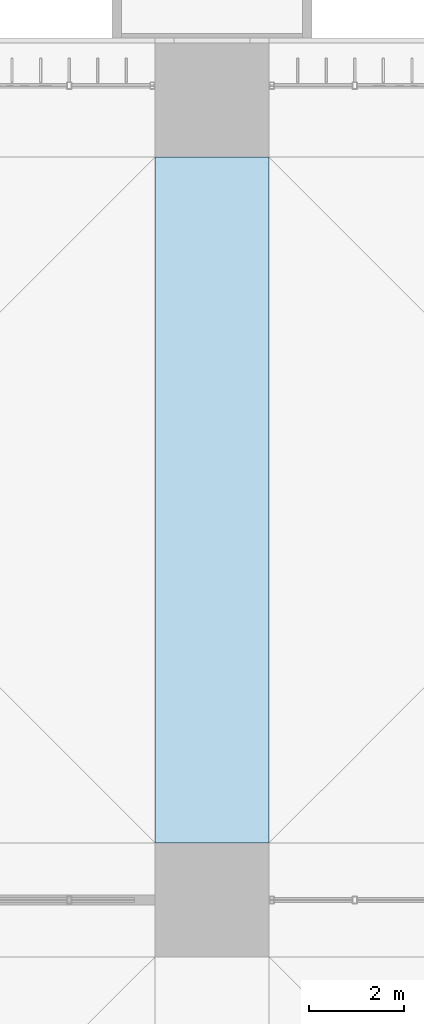
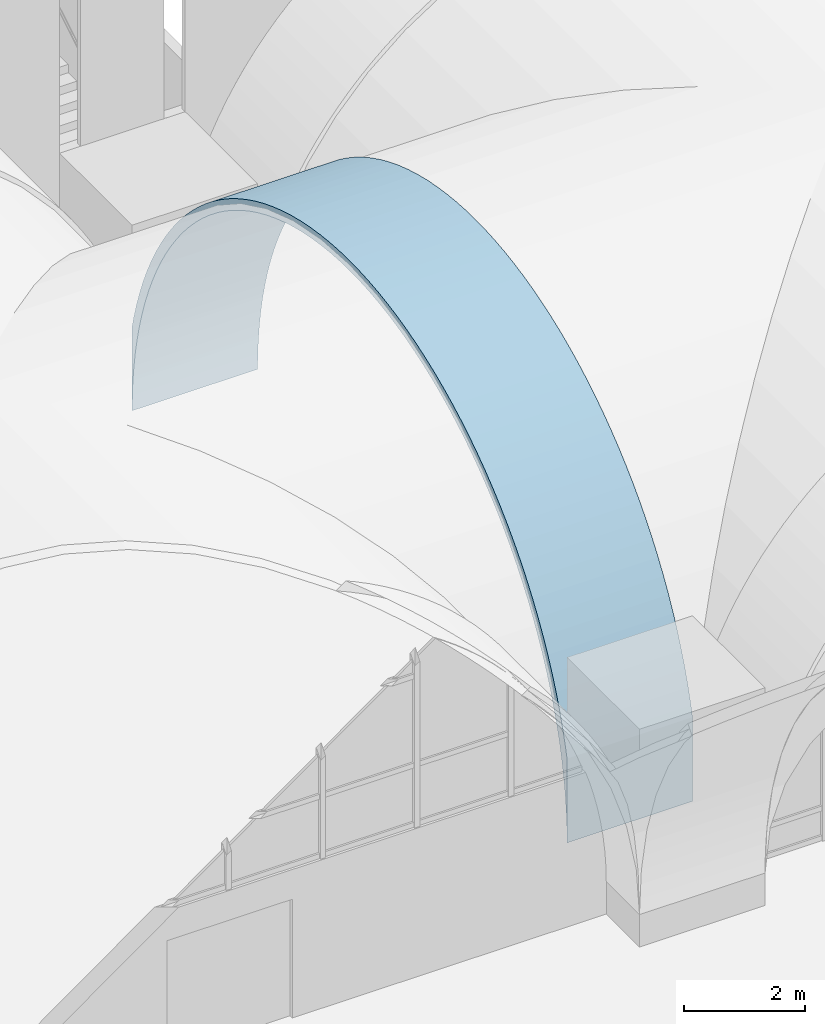
# One storey, part 136 of 169: 1 roof.
"""IFC4 building model written with IfcOpenShell, lengths in metres."""

from ifc_helpers import new_model, si_unit, direction, frame, origin, place, context, subcontext, project, spatial, polygons, material, layer, layer_set, type_object, element, save


model = new_model("IFC4")

# Units and contexts
model_context = context("Model", 3, precision=1e-05, world=origin(), true_north=direction((0.0, 1.0)))
body_context = subcontext(model_context, "Body", "Model", "MODEL_VIEW")
ifc_project = project(units=[si_unit("LENGTHUNIT", "METRE"), si_unit("AREAUNIT", "SQUARE_METRE"), si_unit("VOLUMEUNIT", "CUBIC_METRE"), si_unit("PLANEANGLEUNIT", "RADIAN"), si_unit("MASSUNIT", "GRAM", prefix="KILO")], contexts=[model_context])

# Site, building, storey
site_placement = place(None, origin())
site = spatial("IfcSite", under=ifc_project, at=site_placement, CompositionType="ELEMENT")
building_placement = place(site_placement, origin())
building = spatial("IfcBuilding", under=site, at=building_placement, Name="Verrick Yard Athletic Hall", CompositionType="ELEMENT")
storey_placement = place(building_placement, frame((0.0, 0.0, 4.39990234375)))
storey = spatial("IfcBuildingStorey", under=building, at=storey_placement, Name="L01", CompositionType="ELEMENT", Elevation=4.39990234375)

# Roof
ifc_material = material(Name="Concrete 35 MPa", Category="concrete")
ifc_layer = layer(ifc_material, 0.199951171875)
ifc_layer_set = layer_set([ifc_layer], Name="Arch rib 200")
roof_type = type_object("IfcRoofType", Name="Arch rib 200", PredefinedType="BARREL_ROOF", material=ifc_layer_set)
roof_placement = place(storey_placement, origin())
element("IfcRoof", 1, at=roof_placement, inside=storey, type_object=roof_type, Name="Vault rib X5-2", PredefinedType="BARREL_ROOF", context=body_context, shape_type="Tessellation", body=[
    polygons([(108.39990234375, 37.199951171875, 2.352294921875), (108.39990234375, 37.199951171875, 0.650146484375), (108.39990234375, 37.206787109375, 0.964111328125), (108.39990234375, 37.227294921875, 1.277587890625), (108.39990234375, 37.26171875, 1.58984375), (108.39990234375, 37.309326171875, 1.900390625), (108.39990234375, 37.37060546875, 2.20849609375), (108.39990234375, 37.4453125, 2.513671875), (108.39990234375, 37.533203125, 2.815185546875), (108.39990234375, 37.63427734375, 3.112548828125), (108.39990234375, 37.748046875, 3.405517578125), (108.39990234375, 37.87451171875, 3.693115234375), (108.39990234375, 38.013427734375, 3.974609375), (108.39990234375, 38.16455078125, 4.25), (108.39990234375, 38.32763671875, 4.518798828125), (108.39990234375, 38.502197265625, 4.77978515625), (108.39990234375, 38.68798828125, 5.033203125), (108.39990234375, 38.884521484375, 5.278076171875), (108.39990234375, 39.091552734375, 5.514404296875), (108.39990234375, 39.308837890625, 5.7412109375), (108.39990234375, 39.535888671875, 5.95849609375), (108.39990234375, 39.77197265625, 6.16552734375), (108.39990234375, 40.016845703125, 6.3623046875), (108.39990234375, 40.270263671875, 6.548095703125), (108.39990234375, 40.531494140625, 6.722412109375), (108.39990234375, 40.800048828125, 6.885498046875), (108.39990234375, 41.075439453125, 7.03662109375), (108.39990234375, 41.357177734375, 7.175537109375), (108.39990234375, 41.644775390625, 7.302001953125), (108.39990234375, 41.9375, 7.416015625), (108.39990234375, 42.23486328125, 7.516845703125), (108.39990234375, 42.53662109375, 7.604736328125), (108.39990234375, 42.841552734375, 7.679443359375), (108.39990234375, 43.149658203125, 7.74072265625), (108.39990234375, 43.460205078125, 7.78857421875), (108.39990234375, 43.7724609375, 7.82275390625), (108.39990234375, 44.0859375, 7.84326171875), (108.39990234375, 44.39990234375, 7.85009765625), (108.39990234375, 44.714111328125, 7.84326171875), (108.39990234375, 45.027587890625, 7.82275390625), (108.39990234375, 45.33984375, 7.78857421875), (108.39990234375, 45.650390625, 7.74072265625), (108.39990234375, 45.95849609375, 7.679443359375), (108.39990234375, 46.263427734375, 7.604736328125), (108.39990234375, 46.565185546875, 7.516845703125), (108.39990234375, 46.862548828125, 7.416015625), (108.39990234375, 47.1552734375, 7.302001953125), (108.39990234375, 47.44287109375, 7.175537109375), (108.39990234375, 47.724609375, 7.03662109375), (108.39990234375, 48.0, 6.885498046875), (108.39990234375, 48.2685546875, 6.722412109375), (108.39990234375, 48.52978515625, 6.548095703125), (108.39990234375, 48.783203125, 6.3623046875), (108.39990234375, 49.028076171875, 6.16552734375), (108.39990234375, 49.26416015625, 5.95849609375), (108.39990234375, 49.4912109375, 5.7412109375), (108.39990234375, 49.70849609375, 5.514404296875), (108.39990234375, 49.91552734375, 5.278076171875), (108.39990234375, 50.112060546875, 5.033203125), (108.39990234375, 50.2978515625, 4.77978515625), (108.39990234375, 50.472412109375, 4.518798828125), (108.39990234375, 50.635498046875, 4.25), (108.39990234375, 50.78662109375, 3.974609375), (108.39990234375, 50.92529296875, 3.693115234375), (108.39990234375, 51.052001953125, 3.405517578125), (108.39990234375, 51.165771484375, 3.112548828125), (108.39990234375, 51.266845703125, 2.815185546875), (108.39990234375, 51.354736328125, 2.513671875), (108.39990234375, 51.42919921875, 2.20849609375), (108.39990234375, 51.490478515625, 1.900390625), (108.39990234375, 51.538330078125, 1.58984375), (108.39990234375, 51.572509765625, 1.277587890625), (108.39990234375, 51.593017578125, 0.964111328125), (108.39990234375, 51.60009765625, 0.650146484375), (108.39990234375, 51.60009765625, 2.352294921875), (108.39990234375, 51.5478515625, 2.5654296875), (108.39990234375, 51.45751953125, 2.875244140625), (108.39990234375, 51.353759765625, 3.180908203125), (108.39990234375, 51.23681640625, 3.48193359375), (108.39990234375, 51.106689453125, 3.777587890625), (108.39990234375, 50.9638671875, 4.06689453125), (108.39990234375, 50.80859375, 4.35009765625), (108.39990234375, 50.64111328125, 4.6259765625), (108.39990234375, 50.461669921875, 4.89453125), (108.39990234375, 50.270751953125, 5.15478515625), (108.39990234375, 50.068603515625, 5.40673828125), (108.39990234375, 49.85595703125, 5.6494140625), (108.39990234375, 49.632568359375, 5.8828125), (108.39990234375, 49.3994140625, 6.10595703125), (108.39990234375, 49.156494140625, 6.31884765625), (108.39990234375, 48.90478515625, 6.52099609375), (108.39990234375, 48.64453125, 6.7119140625), (108.39990234375, 48.3759765625, 6.89111328125), (108.39990234375, 48.10009765625, 7.05859375), (108.39990234375, 47.81689453125, 7.214111328125), (108.39990234375, 47.52734375, 7.356689453125), (108.39990234375, 47.23193359375, 7.48681640625), (108.39990234375, 46.930908203125, 7.603759765625), (108.39990234375, 46.625244140625, 7.70751953125), (108.39990234375, 46.315185546875, 7.798095703125), (108.39990234375, 46.001708984375, 7.874755859375), (108.39990234375, 45.68505859375, 7.937744140625), (108.39990234375, 45.365966796875, 7.98681640625), (108.39990234375, 45.044921875, 8.02197265625), (108.39990234375, 44.722900390625, 8.043212890625), (108.39990234375, 44.39990234375, 8.050048828125), (108.39990234375, 44.0771484375, 8.043212890625), (108.39990234375, 43.7548828125, 8.02197265625), (108.39990234375, 43.43408203125, 7.98681640625), (108.39990234375, 43.114990234375, 7.937744140625), (108.39990234375, 42.79833984375, 7.874755859375), (108.39990234375, 42.484619140625, 7.798095703125), (108.39990234375, 42.1748046875, 7.70751953125), (108.39990234375, 41.869140625, 7.603759765625), (108.39990234375, 41.568115234375, 7.48681640625), (108.39990234375, 41.272705078125, 7.356689453125), (108.39990234375, 40.983154296875, 7.214111328125), (108.39990234375, 40.699951171875, 7.05859375), (108.39990234375, 40.424072265625, 6.89111328125), (108.39990234375, 40.155517578125, 6.7119140625), (108.39990234375, 39.895263671875, 6.52099609375), (108.39990234375, 39.643310546875, 6.31884765625), (108.39990234375, 39.400634765625, 6.10595703125), (108.39990234375, 39.16748046875, 5.8828125), (108.39990234375, 38.944091796875, 5.6494140625), (108.39990234375, 38.731201171875, 5.40673828125), (108.39990234375, 38.529296875, 5.15478515625), (108.39990234375, 38.33837890625, 4.89453125), (108.39990234375, 38.158935546875, 4.6259765625), (108.39990234375, 37.991455078125, 4.35009765625), (108.39990234375, 37.836181640625, 4.06689453125), (108.39990234375, 37.693359375, 3.777587890625), (108.39990234375, 37.563232421875, 3.48193359375), (108.39990234375, 37.4462890625, 3.180908203125), (108.39990234375, 37.342529296875, 2.875244140625), (108.39990234375, 37.252197265625, 2.5654296875), (106.0, 37.199951171875, 2.352294921875), (106.0, 37.199951171875, 0.650146484375), (106.0, 37.206787109375, 0.964111328125), (106.0, 37.227294921875, 1.277587890625), (106.0, 37.26171875, 1.58984375), (106.0, 37.309326171875, 1.900390625), (106.0, 37.37060546875, 2.20849609375), (106.0, 37.4453125, 2.513671875), (106.0, 37.533203125, 2.815185546875), (106.0, 37.63427734375, 3.112548828125), (106.0, 37.748046875, 3.405517578125), (106.0, 37.87451171875, 3.693115234375), (106.0, 38.013427734375, 3.974609375), (106.0, 38.16455078125, 4.25), (106.0, 38.32763671875, 4.518798828125), (106.0, 38.502197265625, 4.77978515625), (106.0, 38.68798828125, 5.033203125), (106.0, 38.884521484375, 5.278076171875), (106.0, 39.091552734375, 5.514404296875), (106.0, 39.308837890625, 5.7412109375), (106.0, 39.535888671875, 5.95849609375), (106.0, 39.77197265625, 6.16552734375), (106.0, 40.016845703125, 6.3623046875), (106.0, 40.270263671875, 6.548095703125), (106.0, 40.531494140625, 6.722412109375), (106.0, 40.800048828125, 6.885498046875), (106.0, 41.075439453125, 7.03662109375), (106.0, 41.357177734375, 7.175537109375), (106.0, 41.644775390625, 7.302001953125), (106.0, 41.9375, 7.416015625), (106.0, 42.23486328125, 7.516845703125), (106.0, 42.53662109375, 7.604736328125), (106.0, 42.841552734375, 7.679443359375), (106.0, 43.149658203125, 7.74072265625), (106.0, 43.460205078125, 7.78857421875), (106.0, 43.7724609375, 7.82275390625), (106.0, 44.0859375, 7.84326171875), (106.0, 44.39990234375, 7.85009765625), (106.0, 44.714111328125, 7.84326171875), (106.0, 45.027587890625, 7.82275390625), (106.0, 45.33984375, 7.78857421875), (106.0, 45.650390625, 7.74072265625), (106.0, 45.95849609375, 7.679443359375), (106.0, 46.263427734375, 7.604736328125), (106.0, 46.565185546875, 7.516845703125), (106.0, 46.862548828125, 7.416015625), (106.0, 47.1552734375, 7.302001953125), (106.0, 47.44287109375, 7.175537109375), (106.0, 47.724609375, 7.03662109375), (106.0, 48.0, 6.885498046875), (106.0, 48.2685546875, 6.722412109375), (106.0, 48.52978515625, 6.548095703125), (106.0, 48.783203125, 6.3623046875), (106.0, 49.028076171875, 6.16552734375), (106.0, 49.26416015625, 5.95849609375), (106.0, 49.4912109375, 5.7412109375), (106.0, 49.70849609375, 5.514404296875), (106.0, 49.91552734375, 5.278076171875), (106.0, 50.112060546875, 5.033203125), (106.0, 50.2978515625, 4.77978515625), (106.0, 50.472412109375, 4.518798828125), (106.0, 50.635498046875, 4.25), (106.0, 50.78662109375, 3.974609375), (106.0, 50.92529296875, 3.693115234375), (106.0, 51.052001953125, 3.405517578125), (106.0, 51.165771484375, 3.112548828125), (106.0, 51.266845703125, 2.815185546875), (106.0, 51.354736328125, 2.513671875), (106.0, 51.42919921875, 2.20849609375), (106.0, 51.490478515625, 1.900390625), (106.0, 51.538330078125, 1.58984375), (106.0, 51.572509765625, 1.277587890625), (106.0, 51.593017578125, 0.964111328125), (106.0, 51.60009765625, 0.650146484375), (106.0, 51.60009765625, 2.352294921875), (106.0, 51.5478515625, 2.5654296875), (106.0, 51.45751953125, 2.875244140625), (106.0, 51.353759765625, 3.180908203125), (106.0, 51.23681640625, 3.48193359375), (106.0, 51.106689453125, 3.777587890625), (106.0, 50.9638671875, 4.06689453125), (106.0, 50.80859375, 4.35009765625), (106.0, 50.64111328125, 4.6259765625), (106.0, 50.461669921875, 4.89453125), (106.0, 50.270751953125, 5.15478515625), (106.0, 50.068603515625, 5.40673828125), (106.0, 49.85595703125, 5.6494140625), (106.0, 49.632568359375, 5.8828125), (106.0, 49.3994140625, 6.10595703125), (106.0, 49.156494140625, 6.31884765625), (106.0, 48.90478515625, 6.52099609375), (106.0, 48.64453125, 6.7119140625), (106.0, 48.3759765625, 6.89111328125), (106.0, 48.10009765625, 7.05859375), (106.0, 47.81689453125, 7.214111328125), (106.0, 47.52734375, 7.356689453125), (106.0, 47.23193359375, 7.48681640625), (106.0, 46.930908203125, 7.603759765625), (106.0, 46.625244140625, 7.70751953125), (106.0, 46.315185546875, 7.798095703125), (106.0, 46.001708984375, 7.874755859375), (106.0, 45.68505859375, 7.937744140625), (106.0, 45.365966796875, 7.98681640625), (106.0, 45.044921875, 8.02197265625), (106.0, 44.722900390625, 8.043212890625), (106.0, 44.39990234375, 8.050048828125), (106.0, 44.0771484375, 8.043212890625), (106.0, 43.7548828125, 8.02197265625), (106.0, 43.43408203125, 7.98681640625), (106.0, 43.114990234375, 7.937744140625), (106.0, 42.79833984375, 7.874755859375), (106.0, 42.484619140625, 7.798095703125), (106.0, 42.1748046875, 7.70751953125), (106.0, 41.869140625, 7.603759765625), (106.0, 41.568115234375, 7.48681640625), (106.0, 41.272705078125, 7.356689453125), (106.0, 40.983154296875, 7.214111328125), (106.0, 40.699951171875, 7.05859375), (106.0, 40.424072265625, 6.89111328125), (106.0, 40.155517578125, 6.7119140625), (106.0, 39.895263671875, 6.52099609375), (106.0, 39.643310546875, 6.31884765625), (106.0, 39.400634765625, 6.10595703125), (106.0, 39.16748046875, 5.8828125), (106.0, 38.944091796875, 5.6494140625), (106.0, 38.731201171875, 5.40673828125), (106.0, 38.529296875, 5.15478515625), (106.0, 38.33837890625, 4.89453125), (106.0, 38.158935546875, 4.6259765625), (106.0, 37.991455078125, 4.35009765625), (106.0, 37.836181640625, 4.06689453125), (106.0, 37.693359375, 3.777587890625), (106.0, 37.563232421875, 3.48193359375), (106.0, 37.4462890625, 3.180908203125), (106.0, 37.342529296875, 2.875244140625), (106.0, 37.252197265625, 2.5654296875)], [[[1, 2, 3]], [[137, 139, 138]], [[136, 1, 3]], [[272, 139, 137]], [[136, 3, 4]], [[272, 140, 139]], [[136, 4, 5]], [[272, 141, 140]], [[136, 5, 6]], [[272, 142, 141]], [[136, 6, 7]], [[272, 143, 142]], [[136, 7, 8]], [[272, 144, 143]], [[136, 8, 9]], [[272, 145, 144]], [[136, 9, 10]], [[272, 146, 145]], [[136, 10, 11]], [[272, 147, 146]], [[136, 11, 12]], [[272, 148, 147]], [[136, 12, 13]], [[272, 149, 148]], [[73, 74, 75]], [[209, 211, 210]], [[72, 73, 75]], [[208, 211, 209]], [[71, 72, 75]], [[207, 211, 208]], [[70, 71, 75]], [[206, 211, 207]], [[69, 70, 75]], [[205, 211, 206]], [[68, 69, 75]], [[204, 211, 205]], [[67, 68, 75]], [[203, 211, 204]], [[66, 67, 75]], [[202, 211, 203]], [[65, 66, 75]], [[201, 211, 202]], [[64, 65, 75]], [[200, 211, 201]], [[63, 64, 75]], [[199, 211, 200]], [[63, 75, 76]], [[199, 212, 211]], [[63, 76, 77]], [[199, 213, 212]], [[62, 63, 77]], [[198, 213, 199]], [[62, 77, 78]], [[198, 214, 213]], [[61, 62, 78]], [[197, 214, 198]], [[61, 78, 79]], [[197, 215, 214]], [[60, 61, 79]], [[196, 215, 197]], [[60, 79, 80]], [[196, 216, 215]], [[59, 60, 80]], [[195, 216, 196]], [[59, 80, 81]], [[195, 217, 216]], [[58, 59, 81]], [[194, 217, 195]], [[58, 81, 82]], [[194, 218, 217]], [[57, 58, 82]], [[193, 218, 194]], [[57, 82, 83]], [[193, 219, 218]], [[56, 57, 83]], [[192, 219, 193]], [[56, 83, 84]], [[192, 220, 219]], [[55, 56, 84]], [[191, 220, 192]], [[55, 84, 85]], [[191, 221, 220]], [[54, 55, 85]], [[190, 221, 191]], [[54, 85, 86]], [[190, 222, 221]], [[53, 54, 86]], [[189, 222, 190]], [[53, 86, 87]], [[189, 223, 222]], [[52, 53, 87]], [[188, 223, 189]], [[52, 87, 88]], [[188, 224, 223]], [[51, 52, 88]], [[187, 224, 188]], [[51, 88, 89]], [[187, 225, 224]], [[50, 51, 89]], [[186, 225, 187]], [[50, 89, 90]], [[186, 226, 225]], [[49, 50, 90]], [[185, 226, 186]], [[49, 90, 91]], [[185, 227, 226]], [[48, 49, 91]], [[184, 227, 185]], [[48, 91, 92]], [[184, 228, 227]], [[47, 48, 92]], [[183, 228, 184]], [[47, 92, 93]], [[183, 229, 228]], [[46, 47, 93]], [[182, 229, 183]], [[46, 93, 94]], [[182, 230, 229]], [[45, 46, 94]], [[181, 230, 182]], [[45, 94, 95]], [[181, 231, 230]], [[44, 45, 95]], [[180, 231, 181]], [[44, 95, 96]], [[180, 232, 231]], [[43, 44, 96]], [[179, 232, 180]], [[43, 96, 97]], [[179, 233, 232]], [[42, 43, 97]], [[178, 233, 179]], [[42, 97, 98]], [[178, 234, 233]], [[41, 42, 98]], [[177, 234, 178]], [[41, 98, 99]], [[177, 235, 234]], [[40, 41, 99]], [[176, 235, 177]], [[40, 99, 100]], [[176, 236, 235]], [[39, 40, 100]], [[175, 236, 176]], [[39, 100, 101]], [[175, 237, 236]], [[38, 39, 101]], [[174, 237, 175]], [[38, 101, 102]], [[174, 238, 237]], [[37, 38, 102]], [[173, 238, 174]], [[37, 102, 103]], [[173, 239, 238]], [[36, 37, 103]], [[172, 239, 173]], [[36, 103, 104]], [[172, 240, 239]], [[35, 36, 104]], [[171, 240, 172]], [[35, 104, 105]], [[171, 241, 240]], [[34, 35, 105]], [[170, 241, 171]], [[34, 105, 106]], [[170, 242, 241]], [[33, 34, 106]], [[169, 242, 170]], [[33, 106, 107]], [[169, 243, 242]], [[32, 33, 107]], [[168, 243, 169]], [[32, 107, 108]], [[168, 244, 243]], [[31, 32, 108]], [[167, 244, 168]], [[31, 108, 109]], [[167, 245, 244]], [[30, 31, 109]], [[166, 245, 167]], [[30, 109, 110]], [[166, 246, 245]], [[29, 30, 110]], [[165, 246, 166]], [[29, 110, 111]], [[165, 247, 246]], [[28, 29, 111]], [[164, 247, 165]], [[28, 111, 112]], [[164, 248, 247]], [[27, 28, 112]], [[163, 248, 164]], [[27, 112, 113]], [[163, 249, 248]], [[26, 27, 113]], [[162, 249, 163]], [[26, 113, 114]], [[162, 250, 249]], [[25, 26, 114]], [[161, 250, 162]], [[25, 114, 115]], [[161, 251, 250]], [[24, 25, 115]], [[160, 251, 161]], [[24, 115, 116]], [[160, 252, 251]], [[23, 24, 116]], [[159, 252, 160]], [[23, 116, 117]], [[159, 253, 252]], [[22, 23, 117]], [[158, 253, 159]], [[22, 117, 118]], [[158, 254, 253]], [[21, 22, 118]], [[157, 254, 158]], [[21, 118, 119]], [[157, 255, 254]], [[20, 21, 119]], [[156, 255, 157]], [[20, 119, 120]], [[156, 256, 255]], [[19, 20, 120]], [[155, 256, 156]], [[19, 120, 121]], [[155, 257, 256]], [[18, 19, 121]], [[154, 257, 155]], [[18, 121, 122]], [[154, 258, 257]], [[17, 18, 122]], [[153, 258, 154]], [[17, 122, 123]], [[153, 259, 258]], [[16, 17, 123]], [[152, 259, 153]], [[16, 123, 124]], [[152, 260, 259]], [[15, 16, 124]], [[151, 260, 152]], [[15, 124, 125]], [[151, 261, 260]], [[14, 15, 125]], [[150, 261, 151]], [[14, 125, 126]], [[150, 262, 261]], [[13, 14, 126]], [[149, 262, 150]], [[136, 13, 126]], [[272, 262, 149]], [[136, 126, 127]], [[272, 263, 262]], [[136, 127, 128]], [[272, 264, 263]], [[136, 128, 129]], [[272, 265, 264]], [[136, 129, 130]], [[272, 266, 265]], [[136, 130, 131]], [[272, 267, 266]], [[136, 131, 132]], [[272, 268, 267]], [[136, 132, 133]], [[272, 269, 268]], [[136, 133, 134]], [[272, 270, 269]], [[134, 135, 136]], [[270, 272, 271]], [[1, 138, 2]], [[1, 137, 138]], [[2, 139, 3]], [[2, 138, 139]], [[3, 140, 4]], [[3, 139, 140]], [[4, 141, 5]], [[4, 140, 141]], [[5, 142, 6]], [[5, 141, 142]], [[6, 143, 7]], [[6, 142, 143]], [[7, 144, 8]], [[7, 143, 144]], [[8, 145, 9]], [[8, 144, 145]], [[9, 146, 10]], [[9, 145, 146]], [[10, 147, 11]], [[10, 146, 147]], [[11, 148, 12]], [[11, 147, 148]], [[12, 149, 13]], [[12, 148, 149]], [[13, 150, 14]], [[13, 149, 150]], [[14, 151, 15]], [[14, 150, 151]], [[15, 152, 16]], [[15, 151, 152]], [[16, 153, 17]], [[16, 152, 153]], [[17, 154, 18]], [[17, 153, 154]], [[18, 155, 19]], [[18, 154, 155]], [[19, 156, 20]], [[19, 155, 156]], [[20, 157, 21]], [[20, 156, 157]], [[21, 158, 22]], [[21, 157, 158]], [[22, 159, 23]], [[22, 158, 159]], [[23, 160, 24]], [[23, 159, 160]], [[24, 161, 25]], [[24, 160, 161]], [[25, 162, 26]], [[25, 161, 162]], [[26, 163, 27]], [[26, 162, 163]], [[27, 164, 28]], [[27, 163, 164]], [[28, 165, 29]], [[28, 164, 165]], [[29, 166, 30]], [[29, 165, 166]], [[30, 167, 31]], [[30, 166, 167]], [[31, 168, 32]], [[31, 167, 168]], [[32, 169, 33]], [[32, 168, 169]], [[33, 170, 34]], [[33, 169, 170]], [[34, 171, 35]], [[34, 170, 171]], [[35, 172, 36]], [[35, 171, 172]], [[36, 173, 37]], [[36, 172, 173]], [[37, 174, 38]], [[37, 173, 174]], [[38, 175, 39]], [[38, 174, 175]], [[39, 176, 40]], [[39, 175, 176]], [[40, 177, 41]], [[40, 176, 177]], [[41, 178, 42]], [[41, 177, 178]], [[42, 179, 43]], [[42, 178, 179]], [[43, 180, 44]], [[43, 179, 180]], [[44, 181, 45]], [[44, 180, 181]], [[45, 182, 46]], [[45, 181, 182]], [[46, 183, 47]], [[46, 182, 183]], [[47, 184, 48]], [[47, 183, 184]], [[48, 185, 49]], [[48, 184, 185]], [[49, 186, 50]], [[49, 185, 186]], [[50, 187, 51]], [[50, 186, 187]], [[51, 188, 52]], [[51, 187, 188]], [[52, 189, 53]], [[52, 188, 189]], [[53, 190, 54]], [[53, 189, 190]], [[54, 191, 55]], [[54, 190, 191]], [[55, 192, 56]], [[55, 191, 192]], [[56, 193, 57]], [[56, 192, 193]], [[57, 194, 58]], [[57, 193, 194]], [[58, 195, 59]], [[58, 194, 195]], [[59, 196, 60]], [[59, 195, 196]], [[60, 197, 61]], [[60, 196, 197]], [[61, 198, 62]], [[61, 197, 198]], [[62, 199, 63]], [[62, 198, 199]], [[63, 200, 64]], [[63, 199, 200]], [[64, 201, 65]], [[64, 200, 201]], [[65, 202, 66]], [[65, 201, 202]], [[66, 203, 67]], [[66, 202, 203]], [[67, 204, 68]], [[67, 203, 204]], [[68, 205, 69]], [[68, 204, 205]], [[69, 206, 70]], [[69, 205, 206]], [[70, 207, 71]], [[70, 206, 207]], [[71, 208, 72]], [[71, 207, 208]], [[72, 209, 73]], [[72, 208, 209]], [[73, 210, 74]], [[73, 209, 210]], [[74, 211, 75]], [[74, 210, 211]], [[75, 212, 76]], [[75, 211, 212]], [[76, 213, 77]], [[76, 212, 213]], [[77, 214, 78]], [[77, 213, 214]], [[78, 215, 79]], [[78, 214, 215]], [[79, 216, 80]], [[79, 215, 216]], [[80, 217, 81]], [[80, 216, 217]], [[81, 218, 82]], [[81, 217, 218]], [[82, 219, 83]], [[82, 218, 219]], [[83, 220, 84]], [[83, 219, 220]], [[84, 221, 85]], [[84, 220, 221]], [[85, 222, 86]], [[85, 221, 222]], [[86, 223, 87]], [[86, 222, 223]], [[87, 224, 88]], [[87, 223, 224]], [[88, 225, 89]], [[88, 224, 225]], [[89, 226, 90]], [[89, 225, 226]], [[90, 227, 91]], [[90, 226, 227]], [[91, 228, 92]], [[91, 227, 228]], [[92, 229, 93]], [[92, 228, 229]], [[93, 230, 94]], [[93, 229, 230]], [[94, 231, 95]], [[94, 230, 231]], [[95, 232, 96]], [[95, 231, 232]], [[96, 233, 97]], [[96, 232, 233]], [[97, 234, 98]], [[97, 233, 234]], [[98, 235, 99]], [[98, 234, 235]], [[99, 236, 100]], [[99, 235, 236]], [[100, 237, 101]], [[100, 236, 237]], [[101, 238, 102]], [[101, 237, 238]], [[102, 239, 103]], [[102, 238, 239]], [[103, 240, 104]], [[103, 239, 240]], [[104, 241, 105]], [[104, 240, 241]], [[105, 242, 106]], [[105, 241, 242]], [[106, 243, 107]], [[106, 242, 243]], [[107, 244, 108]], [[107, 243, 244]], [[108, 245, 109]], [[108, 244, 245]], [[109, 246, 110]], [[109, 245, 246]], [[110, 247, 111]], [[110, 246, 247]], [[111, 248, 112]], [[111, 247, 248]], [[112, 249, 113]], [[112, 248, 249]], [[113, 250, 114]], [[113, 249, 250]], [[114, 251, 115]], [[114, 250, 251]], [[115, 252, 116]], [[115, 251, 252]], [[116, 253, 117]], [[116, 252, 253]], [[117, 254, 118]], [[117, 253, 254]], [[118, 255, 119]], [[118, 254, 255]], [[119, 256, 120]], [[119, 255, 256]], [[120, 257, 121]], [[120, 256, 257]], [[121, 258, 122]], [[121, 257, 258]], [[122, 259, 123]], [[122, 258, 259]], [[123, 260, 124]], [[123, 259, 260]], [[124, 261, 125]], [[124, 260, 261]], [[125, 262, 126]], [[125, 261, 262]], [[126, 263, 127]], [[126, 262, 263]], [[127, 264, 128]], [[127, 263, 264]], [[128, 265, 129]], [[128, 264, 265]], [[129, 266, 130]], [[129, 265, 266]], [[130, 267, 131]], [[130, 266, 267]], [[131, 268, 132]], [[131, 267, 268]], [[132, 269, 133]], [[132, 268, 269]], [[133, 270, 134]], [[133, 269, 270]], [[134, 271, 135]], [[134, 270, 271]], [[135, 272, 136]], [[135, 271, 272]], [[136, 137, 1]], [[136, 272, 137]]], closed=True),
])

save(model, "model.ifc")
